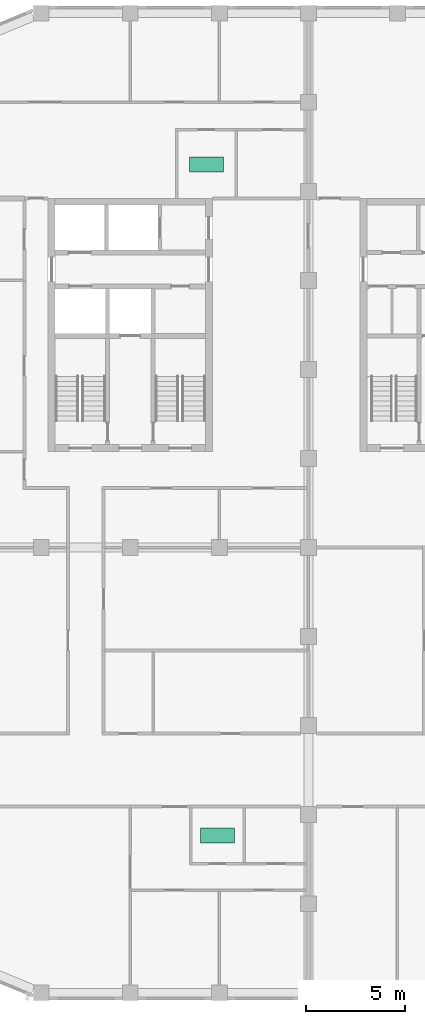
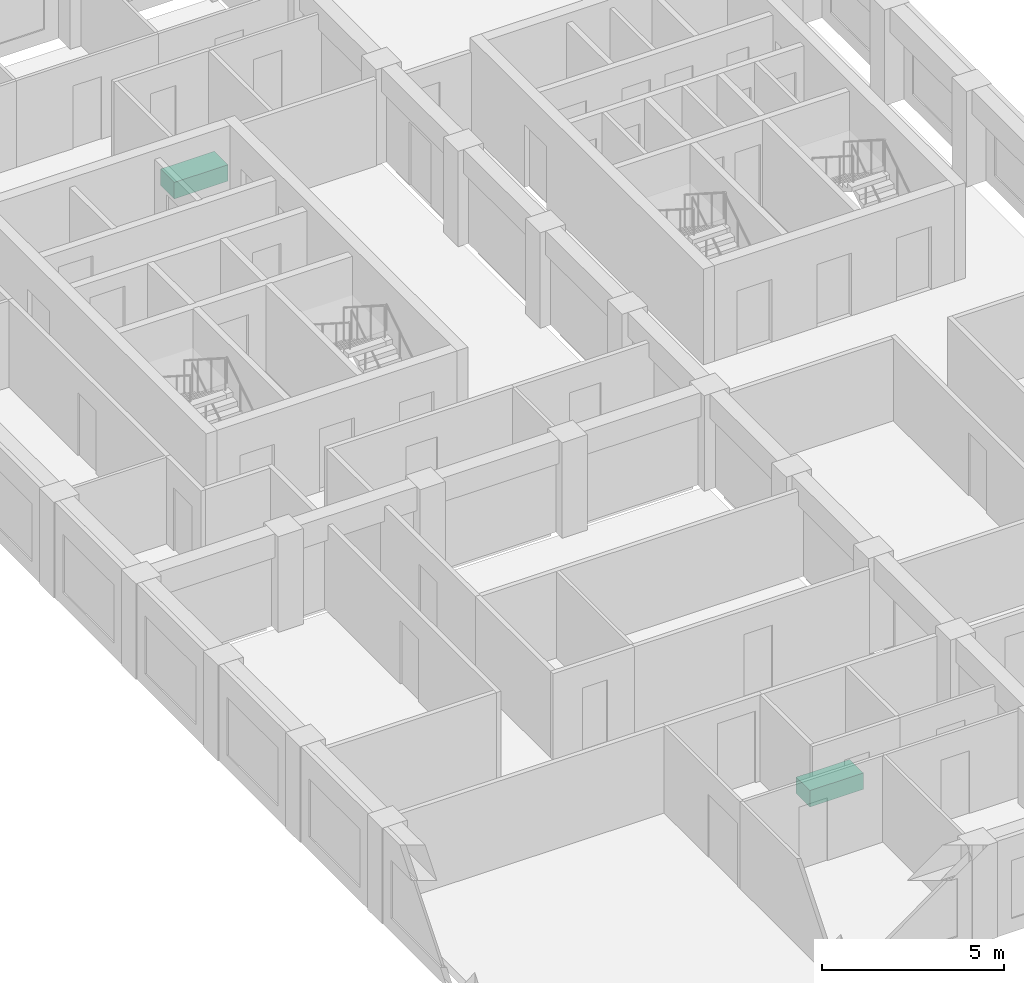
# One storey, part 9 of 9: 2 sanitary terminals.
"""IFC4 building model written with IfcOpenShell, lengths in metres."""

from ifc_helpers import new_model, si_unit, direction, frame, origin, origin_2d, place, context, subcontext, project, spatial, rectangle, extrude, material, type_object, element, save


model = new_model("IFC4")

# Units and contexts
model_context = context("Model", 3, precision=1e-05, world=origin(), true_north=direction((0.0, 1.0)))
body_context = subcontext(model_context, "Body", "Model", "MODEL_VIEW")
ifc_project = project(units=[si_unit("LENGTHUNIT", "METRE"), si_unit("AREAUNIT", "SQUARE_METRE"), si_unit("VOLUMEUNIT", "CUBIC_METRE"), si_unit("PLANEANGLEUNIT", "RADIAN"), si_unit("MASSUNIT", "GRAM", prefix="KILO")], contexts=[model_context])

# Site, building, storey
site_placement = place(None, origin())
site = spatial("IfcSite", under=ifc_project, at=site_placement, CompositionType="ELEMENT")
building_placement = place(site_placement, origin())
building = spatial("IfcBuilding", under=site, at=building_placement, Name="Girih Gate Residences", CompositionType="ELEMENT")
storey_placement = place(building_placement, frame((0.0, 0.0, 189.10009765625)))
storey = spatial("IfcBuildingStorey", under=building, at=storey_placement, Name="L52", CompositionType="ELEMENT", Elevation=189.10009765625)

# Sanitary terminals
ifc_material = material(Name="Acrylic")
sanitary_terminal_type = type_object("IfcSanitaryTerminalType", Name="Bath 1700", PredefinedType="BATH", material=ifc_material)
for number, where, z_axis, x_axis, name in (
    (1, (13.405029296875, 7.948974609375, 0.0), (0.0, 0.0, 1.0), (1.0, 0.0, 0.0), "Bath 1700 L52"),
    (2, (12.85009765625, 41.85400390625, 0.0), (0.0, 0.0, 1.0), (1.0, 0.0, 0.0), "Bath 1700 L52"),
):
    element("IfcSanitaryTerminal", number, at=place(storey_placement, frame(where, z_axis=z_axis, x_axis=x_axis)), inside=storey, type_object=sanitary_terminal_type, Name=name, PredefinedType="BATH", context=body_context, shape_type="SweptSolid", body=[
        extrude(rectangle(XDim=1.699951171875, YDim=0.75, at=origin_2d()), origin(), (0.0, 0.0, 1.0), 0.550048828125),
    ])

save(model, "model.ifc")
